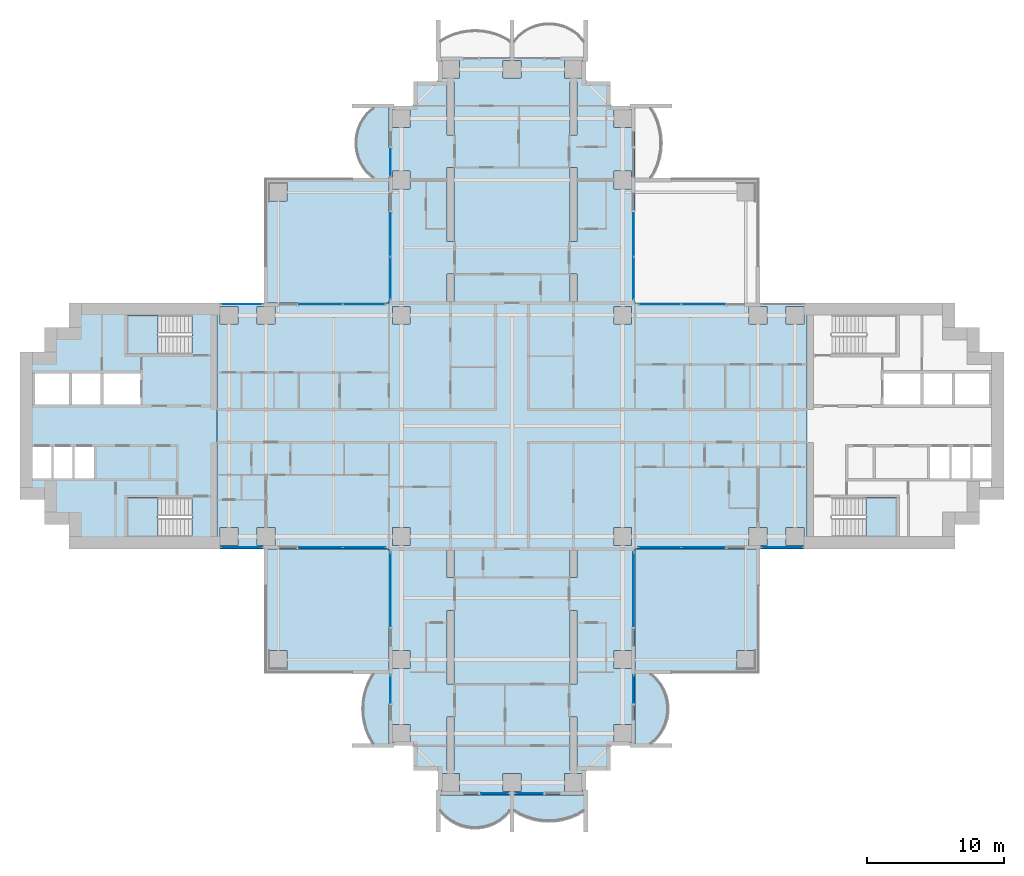
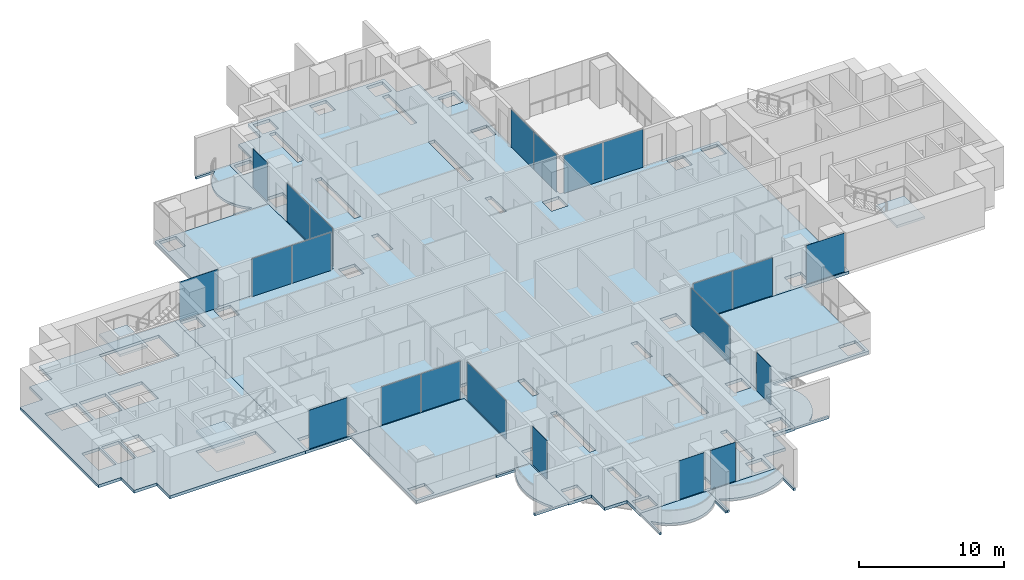
# One storey, part 8 of 21: 22 plates, 13 slabs, 19 elements without a shape of their own.
"""IFC4 building model written with IfcOpenShell, lengths in metres."""

import ifcopenshell
import ifcopenshell.guid

model = None  # the IFC model being written
_history = None  # IfcOwnerHistory: only IFC2X3 demands one
_inside = {}  # id of a spatial element -> (the spatial element, [elements in it])
_under = {}  # id of a project, library or spatial element -> (it, [spatial elements below it])
_declared = {}  # id of a project -> (the project, [libraries it declares])
_typed = {}  # id of a type object -> (the type object, [elements of that type])
_made_of = {}  # id of a material, layer set ... -> (it, [elements and type objects made of it])


def new_model(schema):
    """Start an empty IFC model of exactly this schema.

    Asked for "IFC4X3", IfcOpenShell would pick the latest addendum, in which some entities
    have other attributes; the version numbers below select the first issue.
    IFC2X3 requires an IfcOwnerHistory on every rooted entity: one is made here for all.
    """
    global model, _history
    if schema == "IFC4X3":
        model = ifcopenshell.file(schema_version=(4, 3, 0, 0))
    else:
        model = ifcopenshell.file(schema=schema)
    _inside.clear()
    _under.clear()
    _declared.clear()
    _typed.clear()
    _made_of.clear()
    _history = None
    if model.schema == "IFC2X3":
        org = make("IfcOrganization", Name="unknown")
        user = make(
            "IfcPersonAndOrganization",
            ThePerson=make("IfcPerson", FamilyName="unknown"),
            TheOrganization=org,
        )
        app = make(
            "IfcApplication",
            ApplicationDeveloper=org,
            Version="unknown",
            ApplicationFullName="unknown",
            ApplicationIdentifier="unknown",
        )
        _history = make(
            "IfcOwnerHistory",
            OwningUser=user,
            OwningApplication=app,
            ChangeAction="ADDED",
            CreationDate=0,
        )
    return model


def make(cls, **values):
    """One entity of the class cls with the attributes given. An attribute that is None is left unset."""
    return model.create_entity(
        cls, **{name: value for name, value in values.items() if value is not None}
    )


def rooted(cls, **values):
    """An entity with a GlobalId (a new one), such as an element, a storey or a relation."""
    return make(cls, GlobalId=ifcopenshell.guid.new(), OwnerHistory=_history, **values)


def si_unit(unit_type, name, prefix=None):
    """IfcSIUnit, for example si_unit("LENGTHUNIT", "METRE", prefix="MILLI")."""
    return make("IfcSIUnit", UnitType=unit_type, Prefix=prefix, Name=name)


def assignment(units):
    """IfcUnitAssignment: the units of a project."""
    return None if units is None else make("IfcUnitAssignment", Units=units)


def point(xyz):
    """IfcCartesianPoint."""
    return None if xyz is None else make("IfcCartesianPoint", Coordinates=xyz)


def direction(xyz):
    """IfcDirection."""
    return None if xyz is None else make("IfcDirection", DirectionRatios=xyz)


def frame(location, z_axis=None, x_axis=None):
    """IfcAxis2Placement3D, a coordinate frame: its origin and axes. An axis left out is left unset."""
    return make(
        "IfcAxis2Placement3D",
        Location=point(location),
        Axis=direction(z_axis),
        RefDirection=direction(x_axis),
    )


def frame_2d(location, x_axis=None):
    """IfcAxis2Placement2D, a coordinate frame in the plane: its origin and x axis."""
    return make(
        "IfcAxis2Placement2D", Location=point(location), RefDirection=direction(x_axis)
    )


def origin():
    """The frame at (0, 0, 0) with its axes left unset."""
    return frame((0.0, 0.0, 0.0))


def origin_2d():
    """The frame at (0, 0) in the plane with its x axis left unset."""
    return frame_2d((0.0, 0.0))


def place(relative_to, where):
    """IfcLocalPlacement: puts the frame where relative to a parent placement (None: the world)."""
    return make(
        "IfcLocalPlacement", PlacementRelTo=relative_to, RelativePlacement=where
    )


def context(
    kind, dimensions, precision=None, world=None, true_north=None, identifier=None
):
    """IfcGeometricRepresentationContext, for example the 3D "Model" context."""
    return make(
        "IfcGeometricRepresentationContext",
        ContextIdentifier=identifier,
        ContextType=kind,
        CoordinateSpaceDimension=dimensions,
        Precision=precision,
        WorldCoordinateSystem=world,
        TrueNorth=true_north,
    )


def subcontext(parent, identifier, kind, view, scale=None):
    """IfcGeometricRepresentationSubContext, for example "Body" below "Model"."""
    return make(
        "IfcGeometricRepresentationSubContext",
        ContextIdentifier=identifier,
        ContextType=kind,
        ParentContext=parent,
        TargetScale=scale,
        TargetView=view,
    )


def project(units=None, contexts=None):
    """IfcProject with its units and contexts."""
    return rooted(
        "IfcProject",
        Name="project",
        RepresentationContexts=contexts,
        UnitsInContext=assignment(units),
    )


def spatial(cls, under=None, at=None, **own):
    """A site, building, storey or space (cls), placed at a placement, below another one or the project."""
    s = rooted(cls, ObjectPlacement=at, **own)
    if under is not None:
        _under.setdefault(under.id(), (under, []))[1].append(s)
    return s


def polyline(points):
    """IfcPolyline through the points."""
    return make("IfcPolyline", Points=[point(p) for p in points])


def profile(cls, at=None, kind="AREA", **sizes):
    """A parametric profile (cls). Its sizes go by their IFC names, for example OverallWidth=200.0."""
    return make(cls, ProfileType=kind, Position=at, **sizes)


def rectangle(**sizes):
    """IfcRectangleProfileDef."""
    return profile("IfcRectangleProfileDef", **sizes)


def outline(outer, holes=None, kind="AREA"):
    """IfcArbitraryClosedProfileDef: a profile drawn as a closed curve; with holes, ...WithVoids."""
    if holes is None:
        return make("IfcArbitraryClosedProfileDef", ProfileType=kind, OuterCurve=outer)
    return make(
        "IfcArbitraryProfileDefWithVoids",
        ProfileType=kind,
        OuterCurve=outer,
        InnerCurves=holes,
    )


def extrude(swept, where, along, depth):
    """IfcExtrudedAreaSolid: the profile swept, set in the frame where, extruded along a direction by depth."""
    return make(
        "IfcExtrudedAreaSolid",
        SweptArea=swept,
        Position=where,
        ExtrudedDirection=direction(along),
        Depth=depth,
    )


def shape(context_of_items, identifier, shape_type, items):
    """IfcShapeRepresentation: the items that make up one representation, for example the "Body"."""
    return make(
        "IfcShapeRepresentation",
        ContextOfItems=context_of_items,
        RepresentationIdentifier=identifier,
        RepresentationType=shape_type,
        Items=items,
    )


def material(Name=None, Category=None):
    """IfcMaterial."""
    return make("IfcMaterial", Name=Name, Category=Category)


def layer(
    of_material, thickness, ventilated=None, Name=None, Category=None, Priority=None
):
    """IfcMaterialLayer: one layer of a wall or slab, of a material (None: an air gap)."""
    return make(
        "IfcMaterialLayer",
        Material=of_material,
        LayerThickness=thickness,
        IsVentilated=ventilated,
        Name=Name,
        Category=Category,
        Priority=Priority,
    )


def layer_set(layers, Name=None):
    """IfcMaterialLayerSet."""
    return make("IfcMaterialLayerSet", MaterialLayers=layers, LayerSetName=Name)


def made_of(thing, what):
    """Note that an element or type object is made of a material, layer set ...; save() writes the relation."""
    if what is not None:
        _made_of.setdefault(what.id(), (what, []))[1].append(thing)
    return thing


def type_object(cls, material=None, **own):
    """A type object (cls), such as IfcWallType, which elements share."""
    return made_of(rooted(cls, **own), material)


def element(
    cls,
    number,
    at=None,
    inside=None,
    cuts=None,
    type_object=None,
    material=None,
    context=None,
    identifier="Body",
    shape_type=None,
    held_by="IfcProductDefinitionShape",
    body=None,
    shapes=None,
    **own,
):
    """One element of the class cls, such as IfcWall. Its Tag is "e" and its number.

    at: its placement. inside: the storey or other place that contains it. cuts: it is an
    opening in that element (IfcRelVoidsElement). A single representation is given by context,
    identifier, shape_type and body (its items); several are given by shapes. held_by: the class
    of the entity that holds the representations. save() writes the other relations.
    """
    e = rooted(cls, Tag="e%d" % number, ObjectPlacement=at, **own)
    if body is not None:
        shapes = [shape(context, identifier, shape_type, body)]
    if shapes is not None:
        e.Representation = make(held_by, Representations=shapes)
    if inside is not None:
        _inside.setdefault(inside.id(), (inside, []))[1].append(e)
    if cuts is not None:
        rooted(
            "IfcRelVoidsElement", RelatingBuildingElement=cuts, RelatedOpeningElement=e
        )
    if type_object is not None:
        _typed.setdefault(type_object.id(), (type_object, []))[1].append(e)
    return made_of(e, material)


def aggregate(whole, parts):
    """IfcRelAggregates: a whole, such as a stair, and the parts it consists of."""
    return rooted("IfcRelAggregates", RelatingObject=whole, RelatedObjects=parts)


def save(model, path):
    """Write the relations noted so far, then the file.

    IfcRelAggregates (storeys below a building ...), IfcRelContainedInSpatialStructure (elements
    in a storey), IfcRelDefinesByType, IfcRelAssociatesMaterial and IfcRelDeclares: one each for
    every whole, place, type object, material and project.
    """
    for whole, parts in _under.values():
        aggregate(whole, parts)
    for where, things in _inside.values():
        rooted(
            "IfcRelContainedInSpatialStructure",
            RelatedElements=things,
            RelatingStructure=where,
        )
    for kind, things in _typed.values():
        rooted("IfcRelDefinesByType", RelatedObjects=things, RelatingType=kind)
    for what, things in _made_of.values():
        rooted("IfcRelAssociatesMaterial", RelatedObjects=things, RelatingMaterial=what)
    for by, libraries in _declared.values():
        rooted("IfcRelDeclares", RelatingContext=by, RelatedDefinitions=libraries)
    model.write(path)


model = new_model("IFC4")

# Units and contexts
model_context = context("Model", 3, precision=1e-05, world=origin(), true_north=direction((0.0, 1.0)))
body_context = subcontext(model_context, "Body", "Model", "MODEL_VIEW")
ifc_project = project(units=[si_unit("LENGTHUNIT", "METRE"), si_unit("AREAUNIT", "SQUARE_METRE"), si_unit("VOLUMEUNIT", "CUBIC_METRE"), si_unit("PLANEANGLEUNIT", "RADIAN"), si_unit("MASSUNIT", "GRAM", prefix="KILO")], contexts=[model_context])

# Site, building, storey
site_placement = place(None, origin())
site = spatial("IfcSite", under=ifc_project, at=site_placement, CompositionType="ELEMENT")
building_placement = place(site_placement, origin())
building = spatial("IfcBuilding", under=site, at=building_placement, Name="Perihelion Cross Residences", CompositionType="ELEMENT")
storey_placement = place(building_placement, frame((0.0, 0.0, 57.5)))
storey = spatial("IfcBuildingStorey", under=building, at=storey_placement, Name="L11", CompositionType="ELEMENT", Elevation=57.5)

# Slabs
ifc_material_1 = material(Name="Concrete C40/50", Category="concrete")
ifc_layer_1 = layer(ifc_material_1, 0.199951171875)
ifc_layer_set_1 = layer_set([ifc_layer_1], Name="Balcony slab 200")
slab_type_1 = type_object("IfcSlabType", Name="Balcony slab 200", PredefinedType="FLOOR", material=ifc_layer_set_1)
slab_1_placement = place(storey_placement, frame((0.0, 0.0, -0.199951171875)))
element("IfcSlab", 1, at=slab_1_placement, inside=storey, type_object=slab_type_1, Name="Slab BK1 L11 north side west bay 1 balcony", PredefinedType="FLOOR", context=body_context, shape_type="SweptSolid", body=[
    extrude(outline(polyline([(-9.0, 23.39990234375), (-9.0, 18.0), (-11.699951171875, 18.0), (-11.699951171875, 18.14990234375), (-10.199951171875, 18.14990234375), (-10.622314453125, 18.542236328125), (-10.924072265625, 18.9345703125), (-11.143310546875, 19.326904296875), (-11.29736328125, 19.71923828125), (-11.39599609375, 20.111572265625), (-11.444091796875, 20.50390625), (-11.444091796875, 20.896240234375), (-11.39599609375, 21.28857421875), (-11.29736328125, 21.6806640625), (-11.143310546875, 22.072998046875), (-10.924072265625, 22.46533203125), (-10.622314453125, 22.857666015625), (-10.199951171875, 23.25), (-11.699951171875, 23.25), (-11.699951171875, 23.39990234375), (-9.0, 23.39990234375)])), origin(), (0.0, 0.0, 1.0), 0.199951171875),
])
slab_2_placement = place(storey_placement, frame((0.0, 0.0, -0.199951171875)))
element("IfcSlab", 2, at=slab_2_placement, inside=storey, type_object=slab_type_1, Name="Slab BK1 L11 south side west bay 2 balcony", PredefinedType="FLOOR", context=body_context, shape_type="SweptSolid", body=[
    extrude(outline(polyline([(-9.0, -18.0), (-9.0, -23.39990234375), (-11.699951171875, -23.39990234375), (-11.699951171875, -23.25), (-10.199951171875, -23.25), (-10.4853515625, -22.739990234375), (-10.694580078125, -22.22998046875), (-10.838134765625, -21.719970703125), (-10.92236328125, -21.2099609375), (-10.949951171875, -20.699951171875), (-10.92236328125, -20.18994140625), (-10.838134765625, -19.679931640625), (-10.694580078125, -19.169921875), (-10.4853515625, -18.659912109375), (-10.199951171875, -18.14990234375), (-11.699951171875, -18.14990234375), (-11.699951171875, -18.0), (-9.0, -18.0)])), origin(), (0.0, 0.0, 1.0), 0.199951171875),
])
slab_3_placement = place(storey_placement, frame((0.0, 0.0, -0.199951171875)))
element("IfcSlab", 3, at=slab_3_placement, inside=storey, type_object=slab_type_1, Name="Slab BK1 L11 south tip south bay 1 balcony", PredefinedType="FLOOR", context=body_context, shape_type="SweptSolid", body=[
    extrude(outline(polyline([(-5.39990234375, -27.0), (0.0, -27.0), (0.0, -29.699951171875), (-0.14990234375, -29.699951171875), (-0.14990234375, -28.199951171875), (-0.542236328125, -28.622314453125), (-0.9345703125, -28.924072265625), (-1.326904296875, -29.143310546875), (-1.71923828125, -29.29736328125), (-2.111572265625, -29.39599609375), (-2.50390625, -29.444091796875), (-2.896240234375, -29.444091796875), (-3.28857421875, -29.39599609375), (-3.6806640625, -29.29736328125), (-4.072998046875, -29.143310546875), (-4.46533203125, -28.924072265625), (-4.857666015625, -28.622314453125), (-5.25, -28.199951171875), (-5.25, -29.699951171875), (-5.39990234375, -29.699951171875), (-5.39990234375, -27.0)])), origin(), (0.0, 0.0, 1.0), 0.199951171875),
])
slab_4_placement = place(storey_placement, frame((0.0, 0.0, -0.199951171875)))
element("IfcSlab", 4, at=slab_4_placement, inside=storey, type_object=slab_type_1, Name="Slab BK1 L11 south tip south bay 2 balcony", PredefinedType="FLOOR", context=body_context, shape_type="SweptSolid", body=[
    extrude(outline(polyline([(0.0, -27.0), (5.39990234375, -27.0), (5.39990234375, -29.699951171875), (5.25, -29.699951171875), (5.25, -28.199951171875), (4.739990234375, -28.4853515625), (4.22998046875, -28.694580078125), (3.719970703125, -28.838134765625), (3.2099609375, -28.92236328125), (2.699951171875, -28.949951171875), (2.18994140625, -28.92236328125), (1.679931640625, -28.838134765625), (1.169921875, -28.694580078125), (0.659912109375, -28.4853515625), (0.14990234375, -28.199951171875), (0.14990234375, -29.699951171875), (0.0, -29.699951171875), (0.0, -27.0)])), origin(), (0.0, 0.0, 1.0), 0.199951171875),
])
slab_5_placement = place(storey_placement, frame((0.0, 0.0, -0.199951171875)))
element("IfcSlab", 5, at=slab_5_placement, inside=storey, type_object=slab_type_1, Name="Slab BK1 L11 south side east bay 1 balcony", PredefinedType="FLOOR", context=body_context, shape_type="SweptSolid", body=[
    extrude(outline(polyline([(9.0, -23.39990234375), (9.0, -18.0), (11.699951171875, -18.0), (11.699951171875, -18.14990234375), (10.199951171875, -18.14990234375), (10.622314453125, -18.542236328125), (10.924072265625, -18.9345703125), (11.143310546875, -19.326904296875), (11.29736328125, -19.71923828125), (11.39599609375, -20.111572265625), (11.444091796875, -20.50390625), (11.444091796875, -20.896240234375), (11.39599609375, -21.28857421875), (11.29736328125, -21.6806640625), (11.143310546875, -22.072998046875), (10.924072265625, -22.46533203125), (10.622314453125, -22.857666015625), (10.199951171875, -23.25), (11.699951171875, -23.25), (11.699951171875, -23.39990234375), (9.0, -23.39990234375)])), origin(), (0.0, 0.0, 1.0), 0.199951171875),
])

# Curtain wall, plates
ifc_material_2 = material(Name="Bronze anodised aluminium, tinted glazing", Category="aluminium")
curtain_wall_type = type_object("IfcCurtainWallType", Name="CW1", PredefinedType="NOTDEFINED", material=ifc_material_2)
curtain_wall_1_placement = place(storey_placement, origin())
curtain_wall_1 = element("IfcCurtainWall", 6, at=curtain_wall_1_placement, inside=storey, type_object=curtain_wall_type, Name="Curtain wall CW1 L11 east side north bay 2", PredefinedType="NOTDEFINED")
ifc_material_3 = material(Name="Tinted laminated glass", Category="glass")
ifc_layer_2 = layer(ifc_material_3, 0.028076171875)
ifc_layer_set_2 = layer_set([ifc_layer_2], Name="CW1 panel")
plate_type = type_object("IfcPlateType", Name="CW1 panel", PredefinedType="CURTAIN_PANEL", material=ifc_layer_set_2)
plate_1_placement = place(storey_placement, frame((13.9775390625, 8.89990234375, 0.0), z_axis=(0.0, 0.0, 1.0), x_axis=(-1.0, 0.0, 0.0)))
plate_1 = element("IfcPlate", 7, at=plate_1_placement, type_object=plate_type, Name="CW1 panel 1", PredefinedType="CURTAIN_PANEL", context=body_context, shape_type="SweptSolid", body=[
    extrude(rectangle(XDim=3.14501953125, YDim=0.028076171875, at=origin_2d()), origin(), (0.0, 0.0, 1.0), 3.18994140625),
])
plate_2_placement = place(storey_placement, frame((10.802490234375, 8.89990234375, 0.0), z_axis=(0.0, 0.0, 1.0), x_axis=(-1.0, 0.0, 0.0)))
plate_2 = element("IfcPlate", 8, at=plate_2_placement, type_object=plate_type, Name="CW1 panel 2", PredefinedType="CURTAIN_PANEL", context=body_context, shape_type="SweptSolid", body=[
    extrude(rectangle(XDim=3.0849609375, YDim=0.028076171875, at=origin_2d()), origin(), (0.0, 0.0, 1.0), 3.18994140625),
])
aggregate(curtain_wall_1, [plate_1, plate_2])

curtain_wall_2_placement = place(storey_placement, origin())
curtain_wall_2 = element("IfcCurtainWall", 9, at=curtain_wall_2_placement, inside=storey, type_object=curtain_wall_type, Name="Curtain wall CW1 L11 north side east bay 1", PredefinedType="NOTDEFINED")
plate_3_placement = place(storey_placement, frame((8.89990234375, 10.802490234375, 0.0), z_axis=(0.0, 0.0, 1.0), x_axis=(0.0, 1.0, 0.0)))
plate_3 = element("IfcPlate", 10, at=plate_3_placement, type_object=plate_type, Name="CW1 panel 1", PredefinedType="CURTAIN_PANEL", context=body_context, shape_type="SweptSolid", body=[
    extrude(rectangle(XDim=3.0849609375, YDim=0.028076171875, at=origin_2d()), origin(), (0.0, 0.0, 1.0), 3.18994140625),
])
plate_4_placement = place(storey_placement, frame((8.89990234375, 13.9775390625, 0.0), z_axis=(0.0, 0.0, 1.0), x_axis=(0.0, 1.0, 0.0)))
plate_4 = element("IfcPlate", 11, at=plate_4_placement, type_object=plate_type, Name="CW1 panel 2", PredefinedType="CURTAIN_PANEL", context=body_context, shape_type="SweptSolid", body=[
    extrude(rectangle(XDim=3.14501953125, YDim=0.028076171875, at=origin_2d()), origin(), (0.0, 0.0, 1.0), 3.18994140625),
])
aggregate(curtain_wall_2, [plate_3, plate_4])

# Curtain wall, plate
curtain_wall_3_placement = place(storey_placement, origin())
curtain_wall_3 = element("IfcCurtainWall", 12, at=curtain_wall_3_placement, inside=storey, type_object=curtain_wall_type, Name="Curtain wall CW1 L11 north side west bay 1", PredefinedType="NOTDEFINED")
plate_5_placement = place(storey_placement, frame((-8.89990234375, 19.2548828125, 0.0), z_axis=(0.0, 0.0, 1.0), x_axis=(0.0, -1.0, 0.0)))
plate_5 = element("IfcPlate", 13, at=plate_5_placement, type_object=plate_type, Name="CW1 panel 1", PredefinedType="CURTAIN_PANEL", context=body_context, shape_type="SweptSolid", body=[
    extrude(rectangle(XDim=1.989990234375, YDim=0.028076171875, at=origin_2d()), origin(), (0.0, 0.0, 1.0), 3.25),
])
aggregate(curtain_wall_3, [plate_5])

# Curtain wall, plates
curtain_wall_4_placement = place(storey_placement, origin())
curtain_wall_4 = element("IfcCurtainWall", 14, at=curtain_wall_4_placement, inside=storey, type_object=curtain_wall_type, Name="Curtain wall CW1 L11 north side west bay 2", PredefinedType="NOTDEFINED")
plate_6_placement = place(storey_placement, frame((-8.89990234375, 13.9775390625, 0.0), z_axis=(0.0, 0.0, 1.0), x_axis=(0.0, -1.0, 0.0)))
plate_6 = element("IfcPlate", 15, at=plate_6_placement, type_object=plate_type, Name="CW1 panel 1", PredefinedType="CURTAIN_PANEL", context=body_context, shape_type="SweptSolid", body=[
    extrude(rectangle(XDim=3.14501953125, YDim=0.028076171875, at=origin_2d()), origin(), (0.0, 0.0, 1.0), 3.18994140625),
])
plate_7_placement = place(storey_placement, frame((-8.89990234375, 10.802490234375, 0.0), z_axis=(0.0, 0.0, 1.0), x_axis=(0.0, -1.0, 0.0)))
plate_7 = element("IfcPlate", 16, at=plate_7_placement, type_object=plate_type, Name="CW1 panel 2", PredefinedType="CURTAIN_PANEL", context=body_context, shape_type="SweptSolid", body=[
    extrude(rectangle(XDim=3.0849609375, YDim=0.028076171875, at=origin_2d()), origin(), (0.0, 0.0, 1.0), 3.18994140625),
])
aggregate(curtain_wall_4, [plate_6, plate_7])

curtain_wall_5_placement = place(storey_placement, origin())
curtain_wall_5 = element("IfcCurtainWall", 17, at=curtain_wall_5_placement, inside=storey, type_object=curtain_wall_type, Name="Curtain wall CW1 L11 west side north bay 1", PredefinedType="NOTDEFINED")
plate_8_placement = place(storey_placement, frame((-10.802490234375, 8.89990234375, 0.0), z_axis=(0.0, 0.0, 1.0), x_axis=(-1.0, 0.0, 0.0)))
plate_8 = element("IfcPlate", 18, at=plate_8_placement, type_object=plate_type, Name="CW1 panel 1", PredefinedType="CURTAIN_PANEL", context=body_context, shape_type="SweptSolid", body=[
    extrude(rectangle(XDim=3.0849609375, YDim=0.028076171875, at=origin_2d()), origin(), (0.0, 0.0, 1.0), 3.18994140625),
])
plate_9_placement = place(storey_placement, frame((-13.9775390625, 8.89990234375, 0.0), z_axis=(0.0, 0.0, 1.0), x_axis=(-1.0, 0.0, 0.0)))
plate_9 = element("IfcPlate", 19, at=plate_9_placement, type_object=plate_type, Name="CW1 panel 2", PredefinedType="CURTAIN_PANEL", context=body_context, shape_type="SweptSolid", body=[
    extrude(rectangle(XDim=3.14501953125, YDim=0.028076171875, at=origin_2d()), origin(), (0.0, 0.0, 1.0), 3.18994140625),
])
aggregate(curtain_wall_5, [plate_8, plate_9])

# Curtain wall, plate
curtain_wall_6_placement = place(storey_placement, origin())
curtain_wall_6 = element("IfcCurtainWall", 20, at=curtain_wall_6_placement, inside=storey, type_object=curtain_wall_type, Name="Curtain wall CW1 L11 west side north bay 2", PredefinedType="NOTDEFINED")
plate_10_placement = place(storey_placement, frame((-19.77490234375, 8.89990234375, 0.0), z_axis=(0.0, 0.0, 1.0), x_axis=(-1.0, 0.0, 0.0)))
plate_10 = element("IfcPlate", 21, at=plate_10_placement, type_object=plate_type, Name="CW1 panel 1", PredefinedType="CURTAIN_PANEL", context=body_context, shape_type="SweptSolid", body=[
    extrude(rectangle(XDim=3.030029296875, YDim=0.028076171875, at=origin_2d()), origin(), (0.0, 0.0, 1.0), 3.25),
])
aggregate(curtain_wall_6, [plate_10])

curtain_wall_7_placement = place(storey_placement, origin())
curtain_wall_7 = element("IfcCurtainWall", 22, at=curtain_wall_7_placement, inside=storey, type_object=curtain_wall_type, Name="Curtain wall CW1 L11 west side south bay 1", PredefinedType="NOTDEFINED")
plate_11_placement = place(storey_placement, frame((-19.77490234375, -8.89990234375, 0.0), z_axis=(0.0, 0.0, 1.0), x_axis=(1.0, 0.0, 0.0)))
plate_11 = element("IfcPlate", 23, at=plate_11_placement, type_object=plate_type, Name="CW1 panel 1", PredefinedType="CURTAIN_PANEL", context=body_context, shape_type="SweptSolid", body=[
    extrude(rectangle(XDim=3.030029296875, YDim=0.028076171875, at=origin_2d()), origin(), (0.0, 0.0, 1.0), 3.25),
])
aggregate(curtain_wall_7, [plate_11])

# Curtain wall, plates
curtain_wall_8_placement = place(storey_placement, origin())
curtain_wall_8 = element("IfcCurtainWall", 24, at=curtain_wall_8_placement, inside=storey, type_object=curtain_wall_type, Name="Curtain wall CW1 L11 west side south bay 2", PredefinedType="NOTDEFINED")
plate_12_placement = place(storey_placement, frame((-13.9775390625, -8.89990234375, 0.0), z_axis=(0.0, 0.0, 1.0), x_axis=(1.0, 0.0, 0.0)))
plate_12 = element("IfcPlate", 25, at=plate_12_placement, type_object=plate_type, Name="CW1 panel 1", PredefinedType="CURTAIN_PANEL", context=body_context, shape_type="SweptSolid", body=[
    extrude(rectangle(XDim=3.14501953125, YDim=0.028076171875, at=origin_2d()), origin(), (0.0, 0.0, 1.0), 3.18994140625),
])
plate_13_placement = place(storey_placement, frame((-10.802490234375, -8.89990234375, 0.0), z_axis=(0.0, 0.0, 1.0), x_axis=(1.0, 0.0, 0.0)))
plate_13 = element("IfcPlate", 26, at=plate_13_placement, type_object=plate_type, Name="CW1 panel 2", PredefinedType="CURTAIN_PANEL", context=body_context, shape_type="SweptSolid", body=[
    extrude(rectangle(XDim=3.0849609375, YDim=0.028076171875, at=origin_2d()), origin(), (0.0, 0.0, 1.0), 3.18994140625),
])
aggregate(curtain_wall_8, [plate_12, plate_13])

# Curtain wall, plate
curtain_wall_9_placement = place(storey_placement, origin())
curtain_wall_9 = element("IfcCurtainWall", 27, at=curtain_wall_9_placement, inside=storey, type_object=curtain_wall_type, Name="Curtain wall CW1 L11 south side west bay 1", PredefinedType="NOTDEFINED")
plate_14_placement = place(storey_placement, frame((-8.89990234375, -11.955078125, 0.0), z_axis=(0.0, 0.0, 1.0), x_axis=(0.0, -1.0, 0.0)))
plate_14 = element("IfcPlate", 28, at=plate_14_placement, type_object=plate_type, Name="CW1 panel 1", PredefinedType="CURTAIN_PANEL", context=body_context, shape_type="SweptSolid", body=[
    extrude(rectangle(XDim=5.389892578125, YDim=0.028076171875, at=origin_2d()), origin(), (0.0, 0.0, 1.0), 3.18994140625),
])
aggregate(curtain_wall_9, [plate_14])

curtain_wall_10_placement = place(storey_placement, origin())
curtain_wall_10 = element("IfcCurtainWall", 29, at=curtain_wall_10_placement, inside=storey, type_object=curtain_wall_type, Name="Curtain wall CW1 L11 south side west bay 2", PredefinedType="NOTDEFINED")
plate_15_placement = place(storey_placement, frame((-8.89990234375, -19.2548828125, 0.0), z_axis=(0.0, 0.0, 1.0), x_axis=(0.0, -1.0, 0.0)))
plate_15 = element("IfcPlate", 30, at=plate_15_placement, type_object=plate_type, Name="CW1 panel 1", PredefinedType="CURTAIN_PANEL", context=body_context, shape_type="SweptSolid", body=[
    extrude(rectangle(XDim=1.989990234375, YDim=0.028076171875, at=origin_2d()), origin(), (0.0, 0.0, 1.0), 3.25),
])
aggregate(curtain_wall_10, [plate_15])

curtain_wall_11_placement = place(storey_placement, origin())
curtain_wall_11 = element("IfcCurtainWall", 31, at=curtain_wall_11_placement, inside=storey, type_object=curtain_wall_type, Name="Curtain wall CW1 L11 south tip south bay 1", PredefinedType="NOTDEFINED")
plate_16_placement = place(storey_placement, frame((-1.2548828125, -26.89990234375, 0.0), z_axis=(0.0, 0.0, 1.0), x_axis=(1.0, 0.0, 0.0)))
plate_16 = element("IfcPlate", 32, at=plate_16_placement, type_object=plate_type, Name="CW1 panel 1", PredefinedType="CURTAIN_PANEL", context=body_context, shape_type="SweptSolid", body=[
    extrude(rectangle(XDim=1.989990234375, YDim=0.028076171875, at=origin_2d()), origin(), (0.0, 0.0, 1.0), 3.25),
])
aggregate(curtain_wall_11, [plate_16])

curtain_wall_12_placement = place(storey_placement, origin())
curtain_wall_12 = element("IfcCurtainWall", 33, at=curtain_wall_12_placement, inside=storey, type_object=curtain_wall_type, Name="Curtain wall CW1 L11 south tip south bay 2", PredefinedType="NOTDEFINED")
plate_17_placement = place(storey_placement, frame((1.2548828125, -26.89990234375, 0.0), z_axis=(0.0, 0.0, 1.0), x_axis=(1.0, 0.0, 0.0)))
plate_17 = element("IfcPlate", 34, at=plate_17_placement, type_object=plate_type, Name="CW1 panel 1", PredefinedType="CURTAIN_PANEL", context=body_context, shape_type="SweptSolid", body=[
    extrude(rectangle(XDim=1.989990234375, YDim=0.028076171875, at=origin_2d()), origin(), (0.0, 0.0, 1.0), 3.25),
])
aggregate(curtain_wall_12, [plate_17])

curtain_wall_13_placement = place(storey_placement, origin())
curtain_wall_13 = element("IfcCurtainWall", 35, at=curtain_wall_13_placement, inside=storey, type_object=curtain_wall_type, Name="Curtain wall CW1 L11 south side east bay 1", PredefinedType="NOTDEFINED")
plate_18_placement = place(storey_placement, frame((8.89990234375, -19.2548828125, 0.0), z_axis=(0.0, 0.0, 1.0), x_axis=(0.0, 1.0, 0.0)))
plate_18 = element("IfcPlate", 36, at=plate_18_placement, type_object=plate_type, Name="CW1 panel 1", PredefinedType="CURTAIN_PANEL", context=body_context, shape_type="SweptSolid", body=[
    extrude(rectangle(XDim=1.989990234375, YDim=0.028076171875, at=origin_2d()), origin(), (0.0, 0.0, 1.0), 3.25),
])
aggregate(curtain_wall_13, [plate_18])

curtain_wall_14_placement = place(storey_placement, origin())
curtain_wall_14 = element("IfcCurtainWall", 37, at=curtain_wall_14_placement, inside=storey, type_object=curtain_wall_type, Name="Curtain wall CW1 L11 south side east bay 2", PredefinedType="NOTDEFINED")
plate_19_placement = place(storey_placement, frame((8.89990234375, -11.955078125, 0.0), z_axis=(0.0, 0.0, 1.0), x_axis=(0.0, 1.0, 0.0)))
plate_19 = element("IfcPlate", 38, at=plate_19_placement, type_object=plate_type, Name="CW1 panel 1", PredefinedType="CURTAIN_PANEL", context=body_context, shape_type="SweptSolid", body=[
    extrude(rectangle(XDim=5.389892578125, YDim=0.028076171875, at=origin_2d()), origin(), (0.0, 0.0, 1.0), 3.18994140625),
])
aggregate(curtain_wall_14, [plate_19])

# Curtain wall, plates
curtain_wall_15_placement = place(storey_placement, origin())
curtain_wall_15 = element("IfcCurtainWall", 39, at=curtain_wall_15_placement, inside=storey, type_object=curtain_wall_type, Name="Curtain wall CW1 L11 east side south bay 1", PredefinedType="NOTDEFINED")
plate_20_placement = place(storey_placement, frame((10.802490234375, -8.89990234375, 0.0), z_axis=(0.0, 0.0, 1.0), x_axis=(1.0, 0.0, 0.0)))
plate_20 = element("IfcPlate", 40, at=plate_20_placement, type_object=plate_type, Name="CW1 panel 1", PredefinedType="CURTAIN_PANEL", context=body_context, shape_type="SweptSolid", body=[
    extrude(rectangle(XDim=3.0849609375, YDim=0.028076171875, at=origin_2d()), origin(), (0.0, 0.0, 1.0), 3.18994140625),
])
plate_21_placement = place(storey_placement, frame((13.9775390625, -8.89990234375, 0.0), z_axis=(0.0, 0.0, 1.0), x_axis=(1.0, 0.0, 0.0)))
plate_21 = element("IfcPlate", 41, at=plate_21_placement, type_object=plate_type, Name="CW1 panel 2", PredefinedType="CURTAIN_PANEL", context=body_context, shape_type="SweptSolid", body=[
    extrude(rectangle(XDim=3.14501953125, YDim=0.028076171875, at=origin_2d()), origin(), (0.0, 0.0, 1.0), 3.18994140625),
])
aggregate(curtain_wall_15, [plate_20, plate_21])

# Curtain wall, plate
curtain_wall_16_placement = place(storey_placement, origin())
curtain_wall_16 = element("IfcCurtainWall", 42, at=curtain_wall_16_placement, inside=storey, type_object=curtain_wall_type, Name="Curtain wall CW1 L11 east side south bay 2", PredefinedType="NOTDEFINED")
plate_22_placement = place(storey_placement, frame((19.77490234375, -8.89990234375, 0.0), z_axis=(0.0, 0.0, 1.0), x_axis=(1.0, 0.0, 0.0)))
plate_22 = element("IfcPlate", 43, at=plate_22_placement, type_object=plate_type, Name="CW1 panel 1", PredefinedType="CURTAIN_PANEL", context=body_context, shape_type="SweptSolid", body=[
    extrude(rectangle(XDim=3.030029296875, YDim=0.028076171875, at=origin_2d()), origin(), (0.0, 0.0, 1.0), 3.25),
])
aggregate(curtain_wall_16, [plate_22])

# Slabs
ifc_material_4 = material(Name="Concrete C40/50", Category="concrete")
ifc_layer_3 = layer(ifc_material_4, 0.25)
ifc_layer_set_3 = layer_set([ifc_layer_3], Name="Core floor slab 250")
slab_type_2 = type_object("IfcSlabType", Name="Core floor slab 250", PredefinedType="FLOOR", material=ifc_layer_set_3)
slab_6_placement = place(storey_placement, frame((0.0, 0.0, -0.25)))
element("IfcSlab", 44, at=slab_6_placement, inside=storey, type_object=slab_type_2, Name="West core floor slab", PredefinedType="FLOOR", context=body_context, shape_type="SweptSolid", body=[
    extrude(outline(polyline([(-32.39990234375, 7.199951171875), (-34.199951171875, 7.199951171875), (-34.199951171875, 5.39990234375), (-36.0, 5.39990234375), (-36.0, -5.39990234375), (-34.199951171875, -5.39990234375), (-34.199951171875, -7.199951171875), (-32.39990234375, -7.199951171875), (-32.39990234375, -9.0), (-21.60009765625, -9.0), (-21.60009765625, 9.0), (-32.39990234375, 9.0), (-32.39990234375, 7.199951171875)]), holes=[polyline([(-23.405029296875, -8.10009765625), (-28.14990234375, -8.10009765625), (-28.14990234375, -5.25), (-23.405029296875, -5.25), (-23.405029296875, -8.10009765625)]), polyline([(-30.60009765625, -1.550048828125), (-30.60009765625, -3.85009765625), (-32.0, -3.85009765625), (-32.0, -1.550048828125), (-30.60009765625, -1.550048828125)]), polyline([(-32.14990234375, -1.550048828125), (-32.14990234375, -3.85009765625), (-33.550048828125, -3.85009765625), (-33.550048828125, -1.550048828125), (-32.14990234375, -1.550048828125)]), polyline([(-33.699951171875, -1.550048828125), (-33.699951171875, -3.85009765625), (-35.10009765625, -3.85009765625), (-35.10009765625, -1.550048828125), (-33.699951171875, -1.550048828125)]), polyline([(-27.199951171875, 3.85009765625), (-27.199951171875, 1.550048828125), (-29.89990234375, 1.550048828125), (-29.89990234375, 3.85009765625), (-27.199951171875, 3.85009765625)]), polyline([(-30.10009765625, 3.85009765625), (-30.10009765625, 1.550048828125), (-32.199951171875, 1.550048828125), (-32.199951171875, 3.85009765625), (-30.10009765625, 3.85009765625)]), polyline([(-32.39990234375, 3.85009765625), (-32.39990234375, 1.550048828125), (-34.89990234375, 1.550048828125), (-34.89990234375, 3.85009765625), (-32.39990234375, 3.85009765625)]), polyline([(-23.405029296875, 5.25), (-28.14990234375, 5.25), (-28.14990234375, 8.10009765625), (-23.405029296875, 8.10009765625), (-23.405029296875, 5.25)])]), origin(), (0.0, 0.0, 1.0), 0.25),
])
ifc_material_5 = material(Name="Concrete C40/50", Category="concrete")
ifc_layer_4 = layer(ifc_material_5, 0.25)
ifc_layer_set_4 = layer_set([ifc_layer_4], Name="Corner terrace slab")
slab_type_3 = type_object("IfcSlabType", Name="Corner terrace slab", PredefinedType="FLOOR", material=ifc_layer_set_4)
slab_7_placement = place(storey_placement, frame((0.0, 0.0, -0.25)))
element("IfcSlab", 45, at=slab_7_placement, inside=storey, type_object=slab_type_3, Name="Slab BK2 L11 pocket north-west", PredefinedType="FLOOR", context=body_context, shape_type="SweptSolid", body=[
    extrude(outline(polyline([(-9.0, 9.0), (-9.0, 18.0), (-18.0, 18.0), (-18.0, 9.0), (-9.0, 9.0)]), holes=[polyline([(-17.7900390625, 16.409912109375), (-17.7900390625, 17.7900390625), (-16.449951171875, 17.7900390625), (-16.449951171875, 16.449951171875), (-17.75, 16.449951171875), (-17.75, 16.409912109375), (-17.7900390625, 16.409912109375)])]), origin(), (0.0, 0.0, 1.0), 0.25),
])
slab_8_placement = place(storey_placement, frame((0.0, 0.0, -0.25)))
element("IfcSlab", 46, at=slab_8_placement, inside=storey, type_object=slab_type_3, Name="Slab BK2 L11 pocket south-west", PredefinedType="FLOOR", context=body_context, shape_type="SweptSolid", body=[
    extrude(outline(polyline([(-9.0, -18.0), (-9.0, -9.0), (-18.0, -9.0), (-18.0, -18.0), (-9.0, -18.0)]), holes=[polyline([(-17.7900390625, -16.409912109375), (-17.75, -16.409912109375), (-17.75, -16.449951171875), (-16.449951171875, -16.449951171875), (-16.449951171875, -17.7900390625), (-17.7900390625, -17.7900390625), (-17.7900390625, -16.409912109375)])]), origin(), (0.0, 0.0, 1.0), 0.25),
])
slab_9_placement = place(storey_placement, frame((0.0, 0.0, -0.25)))
element("IfcSlab", 47, at=slab_9_placement, inside=storey, type_object=slab_type_3, Name="Slab BK2 L11 pocket south-east", PredefinedType="FLOOR", context=body_context, shape_type="SweptSolid", body=[
    extrude(outline(polyline([(18.0, -18.0), (18.0, -9.0), (9.0, -9.0), (9.0, -18.0), (18.0, -18.0)]), holes=[polyline([(16.449951171875, -17.7900390625), (16.449951171875, -16.449951171875), (17.75, -16.449951171875), (17.75, -16.409912109375), (17.7900390625, -16.409912109375), (17.7900390625, -17.7900390625), (16.449951171875, -17.7900390625)])]), origin(), (0.0, 0.0, 1.0), 0.25),
])

# Stair, slab
ifc_material_6 = material(Name="Concrete C40/50", Category="concrete")
stair_type = type_object("IfcStairType", Name="Exit stair, half-turn", PredefinedType="HALF_TURN_STAIR", material=ifc_material_6)
stair_1_placement = place(storey_placement, origin())
stair_1 = element("IfcStair", 48, at=stair_1_placement, inside=storey, type_object=stair_type, Name="L11 East core exit stair 2", PredefinedType="HALF_TURN_STAIR")
ifc_material_7 = material(Name="Concrete C40/50", Category="concrete")
ifc_layer_5 = layer(ifc_material_7, 0.199951171875)
ifc_layer_set_5 = layer_set([ifc_layer_5], Name="Exit stair landing 200")
slab_type_4 = type_object("IfcSlabType", Name="Exit stair landing 200", PredefinedType="LANDING", material=ifc_layer_set_5)
slab_10_placement = place(storey_placement, frame((0.0, 0.0, 1.550048828125)))
slab_10 = element("IfcSlab", 49, at=slab_10_placement, type_object=slab_type_4, Name="ST-E2 landing 1", PredefinedType="LANDING", context=body_context, shape_type="SweptSolid", body=[
    extrude(outline(polyline([(25.919921875, -8.10009765625), (28.14990234375, -8.10009765625), (28.14990234375, -5.25), (25.919921875, -5.25), (25.919921875, -8.10009765625)])), origin(), (0.0, 0.0, 1.0), 0.199951171875),
])
aggregate(stair_1, [slab_10])

stair_2_placement = place(storey_placement, origin())
stair_2 = element("IfcStair", 50, at=stair_2_placement, inside=storey, type_object=stair_type, Name="L11 West core exit stair 1", PredefinedType="HALF_TURN_STAIR")
slab_11_placement = place(storey_placement, frame((0.0, 0.0, 1.550048828125)))
slab_11 = element("IfcSlab", 51, at=slab_11_placement, type_object=slab_type_4, Name="ST-W1 landing 1", PredefinedType="LANDING", context=body_context, shape_type="SweptSolid", body=[
    extrude(outline(polyline([(-25.919921875, 8.10009765625), (-28.14990234375, 8.10009765625), (-28.14990234375, 5.25), (-25.919921875, 5.25), (-25.919921875, 8.10009765625)])), origin(), (0.0, 0.0, 1.0), 0.199951171875),
])
aggregate(stair_2, [slab_11])

stair_3_placement = place(storey_placement, origin())
stair_3 = element("IfcStair", 52, at=stair_3_placement, inside=storey, type_object=stair_type, Name="L11 West core exit stair 2", PredefinedType="HALF_TURN_STAIR")
slab_12_placement = place(storey_placement, frame((0.0, 0.0, 1.550048828125)))
slab_12 = element("IfcSlab", 53, at=slab_12_placement, type_object=slab_type_4, Name="ST-W2 landing 1", PredefinedType="LANDING", context=body_context, shape_type="SweptSolid", body=[
    extrude(outline(polyline([(-25.919921875, -5.25), (-28.14990234375, -5.25), (-28.14990234375, -8.10009765625), (-25.919921875, -8.10009765625), (-25.919921875, -5.25)])), origin(), (0.0, 0.0, 1.0), 0.199951171875),
])
aggregate(stair_3, [slab_12])

# Slab
ifc_material_8 = material(Name="Concrete C50/60", Category="concrete")
ifc_layer_6 = layer(ifc_material_8, 0.25)
ifc_layer_set_6 = layer_set([ifc_layer_6], Name="Residential floor post-tensioned slab concrete C50/60")
slab_type_5 = type_object("IfcSlabType", Name="Residential floor post-tensioned slab concrete C50/60", PredefinedType="FLOOR", material=ifc_layer_set_6)
slab_13_placement = place(storey_placement, frame((0.0, 0.0, -0.25)))
element("IfcSlab", 54, at=slab_13_placement, inside=storey, type_object=slab_type_5, Name="Slab SL8 L11 1 no. 1", PredefinedType="FLOOR", context=body_context, shape_type="SweptSolid", body=[
    extrude(outline(polyline([(-9.0, 9.0), (-9.0, 23.39990234375), (-7.199951171875, 23.39990234375), (-7.199951171875, 25.199951171875), (-5.39990234375, 25.199951171875), (-5.39990234375, 27.0), (5.39990234375, 27.0), (5.39990234375, 25.199951171875), (7.199951171875, 25.199951171875), (7.199951171875, 23.39990234375), (9.0, 23.39990234375), (9.0, 9.0), (21.60009765625, 9.0), (21.60009765625, -9.0), (9.0, -9.0), (9.0, -23.39990234375), (7.199951171875, -23.39990234375), (7.199951171875, -25.199951171875), (5.39990234375, -25.199951171875), (5.39990234375, -27.0), (-5.39990234375, -27.0), (-5.39990234375, -25.199951171875), (-7.199951171875, -25.199951171875), (-7.199951171875, -23.39990234375), (-9.0, -23.39990234375), (-9.0, -9.0), (-21.60009765625, -9.0), (-21.60009765625, 9.0), (-9.0, 9.0)]), holes=[polyline([(0.64990234375, -26.75), (0.64990234375, -25.449951171875), (-0.64990234375, -25.449951171875), (-0.64990234375, -26.75), (0.64990234375, -26.75)]), polyline([(-3.85009765625, -26.75), (-3.85009765625, -25.449951171875), (-5.14990234375, -25.449951171875), (-5.14990234375, -26.75), (-3.85009765625, -26.75)]), polyline([(-4.25, -25.199951171875), (-4.25, -21.300048828125), (-4.75, -21.300048828125), (-4.75, -25.199951171875), (-4.25, -25.199951171875)]), polyline([(-8.75, -23.14990234375), (-7.449951171875, -23.14990234375), (-7.449951171875, -21.85009765625), (-8.75, -21.85009765625), (-8.75, -23.14990234375)]), polyline([(-8.75, -17.75), (-7.449951171875, -17.75), (-7.449951171875, -16.449951171875), (-8.75, -16.449951171875), (-8.75, -17.75)]), polyline([(-4.25, -18.89990234375), (-4.25, -13.5), (-4.75, -13.5), (-4.75, -18.89990234375), (-4.25, -18.89990234375)]), polyline([(-4.25, -11.10009765625), (-4.25, -9.0), (-4.75, -9.0), (-4.75, -11.10009765625), (-4.25, -11.10009765625)]), polyline([(-7.449951171875, -8.75), (-7.449951171875, -7.449951171875), (-8.75, -7.449951171875), (-8.75, -8.75), (-7.449951171875, -8.75)]), polyline([(-18.64990234375, -8.75), (-17.35009765625, -8.75), (-17.35009765625, -7.449951171875), (-18.64990234375, -7.449951171875), (-18.64990234375, -8.75)]), polyline([(-21.35009765625, -8.75), (-20.050048828125, -8.75), (-20.050048828125, -7.449951171875), (-21.35009765625, -7.449951171875), (-21.35009765625, -8.75)]), polyline([(-17.35009765625, 7.449951171875), (-17.35009765625, 8.75), (-18.64990234375, 8.75), (-18.64990234375, 7.449951171875), (-17.35009765625, 7.449951171875)]), polyline([(-7.449951171875, 7.449951171875), (-7.449951171875, 8.75), (-8.75, 8.75), (-8.75, 7.449951171875), (-7.449951171875, 7.449951171875)]), polyline([(-21.35009765625, 7.449951171875), (-20.050048828125, 7.449951171875), (-20.050048828125, 8.75), (-21.35009765625, 8.75), (-21.35009765625, 7.449951171875)]), polyline([(-4.75, 9.0), (-4.25, 9.0), (-4.25, 11.10009765625), (-4.75, 11.10009765625), (-4.75, 9.0)]), polyline([(-4.25, 13.5), (-4.25, 18.89990234375), (-4.75, 18.89990234375), (-4.75, 13.5), (-4.25, 13.5)]), polyline([(-7.449951171875, 17.35009765625), (-7.449951171875, 18.64990234375), (-8.75, 18.64990234375), (-8.75, 17.35009765625), (-7.449951171875, 17.35009765625)]), polyline([(-7.449951171875, 21.85009765625), (-7.449951171875, 23.14990234375), (-8.75, 23.14990234375), (-8.75, 21.85009765625), (-7.449951171875, 21.85009765625)]), polyline([(-4.75, 21.300048828125), (-4.25, 21.300048828125), (-4.25, 25.199951171875), (-4.75, 25.199951171875), (-4.75, 21.300048828125)]), polyline([(-5.14990234375, 25.449951171875), (-3.85009765625, 25.449951171875), (-3.85009765625, 26.75), (-5.14990234375, 26.75), (-5.14990234375, 25.449951171875)]), polyline([(5.14990234375, -26.75), (5.14990234375, -25.449951171875), (3.85009765625, -25.449951171875), (3.85009765625, -26.75), (5.14990234375, -26.75)]), polyline([(4.75, -25.199951171875), (4.75, -21.300048828125), (4.25, -21.300048828125), (4.25, -25.199951171875), (4.75, -25.199951171875)]), polyline([(8.75, -23.14990234375), (8.75, -21.85009765625), (7.449951171875, -21.85009765625), (7.449951171875, -23.14990234375), (8.75, -23.14990234375)]), polyline([(7.449951171875, -17.75), (8.75, -17.75), (8.75, -16.449951171875), (7.449951171875, -16.449951171875), (7.449951171875, -17.75)]), polyline([(4.25, -18.89990234375), (4.75, -18.89990234375), (4.75, -13.5), (4.25, -13.5), (4.25, -18.89990234375)]), polyline([(4.75, -11.10009765625), (4.75, -9.0), (4.25, -9.0), (4.25, -11.10009765625), (4.75, -11.10009765625)]), polyline([(18.64990234375, -8.75), (18.64990234375, -7.449951171875), (17.35009765625, -7.449951171875), (17.35009765625, -8.75), (18.64990234375, -8.75)]), polyline([(21.35009765625, -8.75), (21.35009765625, -7.449951171875), (20.050048828125, -7.449951171875), (20.050048828125, -8.75), (21.35009765625, -8.75)]), polyline([(7.449951171875, -8.75), (8.75, -8.75), (8.75, -7.449951171875), (7.449951171875, -7.449951171875), (7.449951171875, -8.75)]), polyline([(21.35009765625, 7.449951171875), (21.35009765625, 8.75), (20.050048828125, 8.75), (20.050048828125, 7.449951171875), (21.35009765625, 7.449951171875)]), polyline([(8.75, 7.449951171875), (8.75, 8.75), (7.449951171875, 8.75), (7.449951171875, 7.449951171875), (8.75, 7.449951171875)]), polyline([(18.64990234375, 7.449951171875), (18.64990234375, 8.75), (17.35009765625, 8.75), (17.35009765625, 7.449951171875), (18.64990234375, 7.449951171875)]), polyline([(4.25, 9.0), (4.75, 9.0), (4.75, 11.10009765625), (4.25, 11.10009765625), (4.25, 9.0)]), polyline([(4.25, 13.5), (4.75, 13.5), (4.75, 18.89990234375), (4.25, 18.89990234375), (4.25, 13.5)]), polyline([(8.75, 17.35009765625), (8.75, 18.64990234375), (7.449951171875, 18.64990234375), (7.449951171875, 17.35009765625), (8.75, 17.35009765625)]), polyline([(8.75, 21.85009765625), (8.75, 23.14990234375), (7.449951171875, 23.14990234375), (7.449951171875, 21.85009765625), (8.75, 21.85009765625)]), polyline([(4.75, 21.300048828125), (4.75, 25.199951171875), (4.25, 25.199951171875), (4.25, 21.300048828125), (4.75, 21.300048828125)]), polyline([(-0.64990234375, 25.449951171875), (0.64990234375, 25.449951171875), (0.64990234375, 26.75), (-0.64990234375, 26.75), (-0.64990234375, 25.449951171875)]), polyline([(3.85009765625, 25.449951171875), (5.14990234375, 25.449951171875), (5.14990234375, 26.75), (3.85009765625, 26.75), (3.85009765625, 25.449951171875)])]), origin(), (0.0, 0.0, 1.0), 0.25),
])

save(model, "model.ifc")
